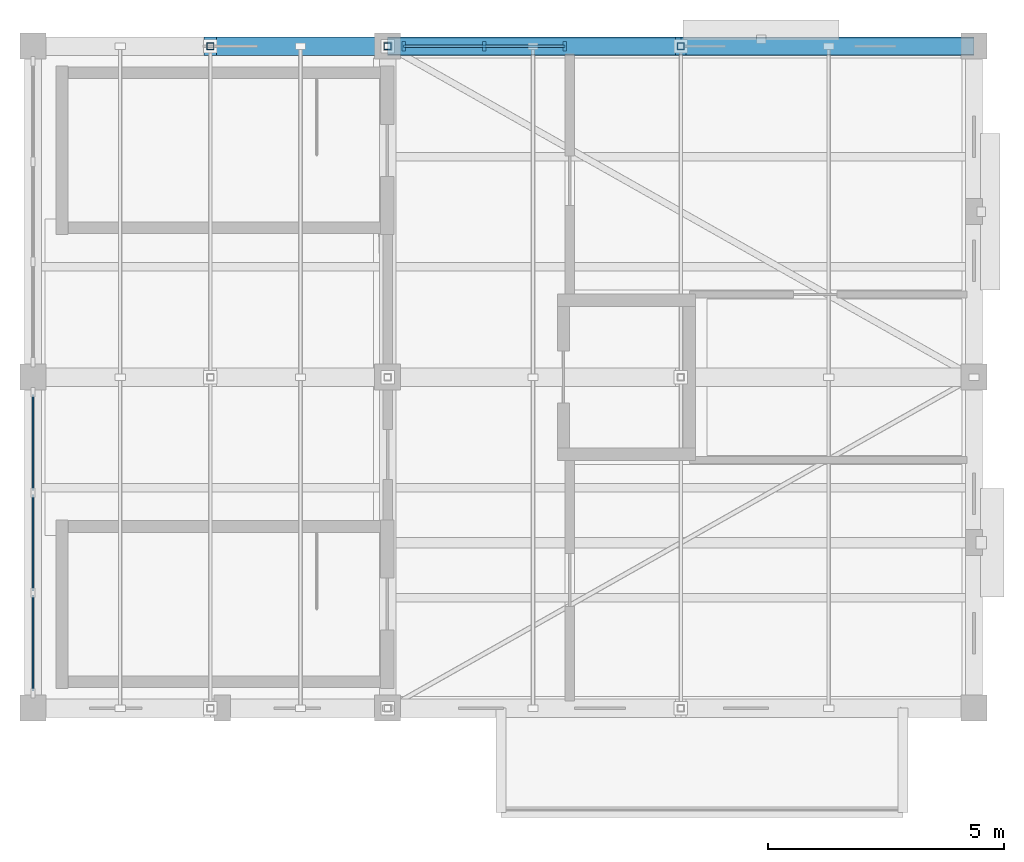
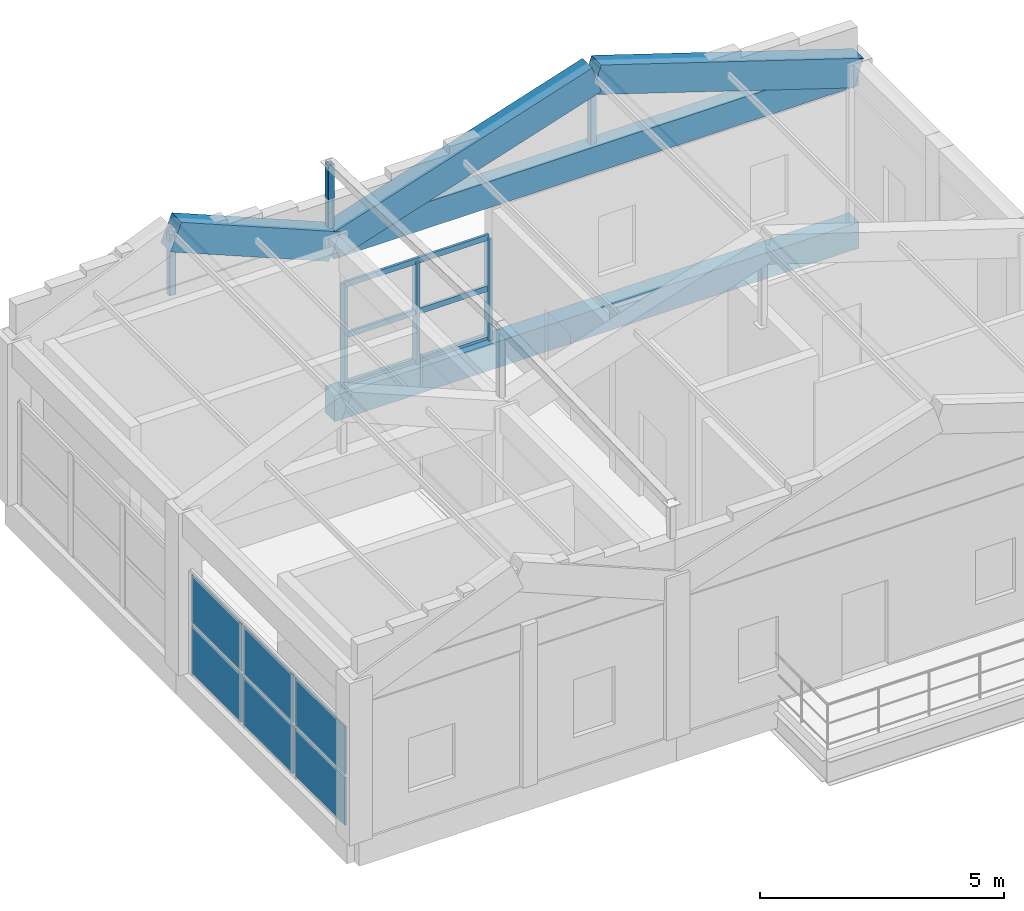
# One storey, part 5 of 8: 12 members, 6 plates, 2 beams, 2 elements without a shape of their own.
"""IFC4 building model written with IfcOpenShell, lengths in metres."""

from ifc_helpers import new_model, si_unit, direction, frame, origin, origin_2d, place, context, subcontext, project, spatial, rectangle, hollow_rectangle, extrude, material, layer, layer_set, material_profile, profile_set, type_object, element, aggregate, save


model = new_model("IFC4")

# Units and contexts
model_context = context("Model", 3, precision=1e-05, world=origin(), true_north=direction((0.0, 1.0)))
body_context = subcontext(model_context, "Body", "Model", "MODEL_VIEW")
ifc_project = project(units=[si_unit("LENGTHUNIT", "METRE"), si_unit("AREAUNIT", "SQUARE_METRE"), si_unit("VOLUMEUNIT", "CUBIC_METRE"), si_unit("PLANEANGLEUNIT", "RADIAN"), si_unit("MASSUNIT", "GRAM", prefix="KILO")], contexts=[model_context])

# Site, building, storey
site_placement = place(None, origin())
site = spatial("IfcSite", under=ifc_project, at=site_placement, CompositionType="ELEMENT")
building_placement = place(site_placement, origin())
building = spatial("IfcBuilding", under=site, at=building_placement, Name="Trellovar Central Fire Station", CompositionType="ELEMENT")
storey_placement = place(building_placement, frame((0.0, 0.0, 22.050048828125)))
storey = spatial("IfcBuildingStorey", under=building, at=storey_placement, Name="L06", CompositionType="ELEMENT", Elevation=22.050048828125)

# Beams
ifc_material_1 = material(Name="Concrete C40/50", Category="concrete")
ifc_material_profile_1 = material_profile(ifc_material_1, rectangle(XDim=0.39990234375, YDim=0.64990234375, at=origin_2d()), Name="RC400X650")
ifc_profile_set_1 = profile_set([ifc_material_profile_1], Name="Concrete C40/50")
beam_type_1 = type_object("IfcBeamType", Name="BM-G4", PredefinedType="BEAM", material=ifc_profile_set_1)
beam_1_placement = place(storey_placement, frame((148.60009765625, 73.0, -0.324951171875), z_axis=(1.0, 0.0, 0.0), x_axis=(0.0, 1.0, 0.0)))
element("IfcBeam", 1, at=beam_1_placement, inside=storey, type_object=beam_type_1, Name="L06 beam G-4", PredefinedType="BEAM", context=body_context, shape_type="SweptSolid", body=[
    extrude(rectangle(XDim=0.39990234375, YDim=0.64990234375, at=origin_2d()), origin(), (0.0, 0.0, 1.0), 12.39990234375),
])
ifc_material_2 = material(Name="Concrete C40/50", Category="concrete")
ifc_material_profile_2 = material_profile(ifc_material_2, rectangle(XDim=0.35009765625, YDim=0.64990234375, at=origin_2d()), Name="RC350X650")
ifc_profile_set_2 = profile_set([ifc_material_profile_2], Name="Concrete C40/50")
beam_type_2 = type_object("IfcBeamType", Name="BM-G5", PredefinedType="BEAM", material=ifc_profile_set_2)
beam_2_placement = place(storey_placement, frame((148.60009765625, 73.0, 3.724853515625), z_axis=(1.0, 0.0, 0.0), x_axis=(0.0, 1.0, 0.0)))
element("IfcBeam", 2, at=beam_2_placement, inside=storey, type_object=beam_type_2, Name="L06 beam G-5", PredefinedType="BEAM", context=body_context, shape_type="SweptSolid", body=[
    extrude(rectangle(XDim=0.35009765625, YDim=0.64990234375, at=origin_2d()), origin(), (0.0, 0.0, 1.0), 12.39990234375),
])

# Curtain wall, members
ifc_material_3 = material(Name="Thermally broken bronze anodized aluminum", Category="aluminium")
ifc_layer_1 = layer(ifc_material_3, 0.159912109375)
ifc_layer_set_1 = layer_set([ifc_layer_1], Name="Thermally broken bronze anodized aluminum")
curtain_wall_type_1 = type_object("IfcCurtainWallType", Name="CW-08", PredefinedType="NOTDEFINED", material=ifc_layer_set_1)
curtain_wall_1_placement = place(storey_placement, origin())
curtain_wall_1 = element("IfcCurtainWall", 3, at=curtain_wall_1_placement, inside=storey, type_object=curtain_wall_type_1, Name="V2 L06 north lobby curtain wall", PredefinedType="NOTDEFINED")
ifc_material_4 = material(Name="Thermally broken bronze anodized aluminum", Category="aluminium")
ifc_material_profile_3 = material_profile(ifc_material_4, rectangle(XDim=0.074951171875, YDim=0.199951171875, at=origin_2d()), Name="ALU75X200")
ifc_profile_set_3 = profile_set([ifc_material_profile_3], Name="Thermally broken bronze anodized aluminum")
member_type_1 = type_object("IfcMemberType", Name="CWM-1", PredefinedType="MULLION", material=ifc_profile_set_3)
member_1_placement = place(storey_placement, frame((152.35009765625, 73.0, 0.0), z_axis=(0.0, 0.0, 1.0), x_axis=(1.0, 0.0, 0.0)))
member_1 = element("IfcMember", 4, at=member_1_placement, type_object=member_type_1, Name="CW3-L06-0168 mullion 1", PredefinedType="MULLION", context=body_context, shape_type="SweptSolid", body=[
    extrude(rectangle(XDim=0.074951171875, YDim=0.199951171875, at=origin_2d()), origin(), (0.0, 0.0, 1.0), 2.550048828125),
])
member_2_placement = place(storey_placement, frame((150.64501953125, 73.0, 0.0), z_axis=(0.0, 0.0, 1.0), x_axis=(1.0, 0.0, 0.0)))
member_2 = element("IfcMember", 5, at=member_2_placement, type_object=member_type_1, Name="CW3-L06-0168 mullion 2", PredefinedType="MULLION", context=body_context, shape_type="SweptSolid", body=[
    extrude(rectangle(XDim=0.074951171875, YDim=0.199951171875, at=origin_2d()), origin(), (0.0, 0.0, 1.0), 2.550048828125),
])
member_3_placement = place(storey_placement, frame((148.93994140625, 73.0, 0.0), z_axis=(0.0, 0.0, 1.0), x_axis=(1.0, 0.0, 0.0)))
member_3 = element("IfcMember", 6, at=member_3_placement, type_object=member_type_1, Name="CW3-L06-0168 mullion 3", PredefinedType="MULLION", context=body_context, shape_type="SweptSolid", body=[
    extrude(rectangle(XDim=0.074951171875, YDim=0.199951171875, at=origin_2d()), origin(), (0.0, 0.0, 1.0), 2.550048828125),
])
ifc_material_5 = material(Name="Thermally broken bronze anodized aluminum", Category="aluminium")
ifc_material_profile_4 = material_profile(ifc_material_5, rectangle(XDim=0.06005859375, YDim=0.139892578125, at=origin_2d()), Name="ALU60X140")
ifc_profile_set_4 = profile_set([ifc_material_profile_4], Name="Thermally broken bronze anodized aluminum")
member_type_2 = type_object("IfcMemberType", Name="CWT-1", PredefinedType="USERDEFINED", material=ifc_profile_set_4)
member_4_placement = place(storey_placement, frame((152.35009765625, 73.0, 0.0), z_axis=(-1.0, 0.0, 0.0), x_axis=(0.0, -1.0, 0.0)))
member_4 = element("IfcMember", 7, at=member_4_placement, type_object=member_type_2, Name="CW3-L06-0168 transom 1", ObjectType="TRANSOM", PredefinedType="USERDEFINED", context=body_context, shape_type="SweptSolid", body=[
    extrude(rectangle(XDim=0.06005859375, YDim=0.139892578125, at=origin_2d()), origin(), (0.0, 0.0, 1.0), 3.41015625),
])
member_5_placement = place(storey_placement, frame((152.35009765625, 73.0, 1.27490234375), z_axis=(-1.0, 0.0, 0.0), x_axis=(0.0, -1.0, 0.0)))
member_5 = element("IfcMember", 8, at=member_5_placement, type_object=member_type_2, Name="CW3-L06-0168 transom 2", ObjectType="TRANSOM", PredefinedType="USERDEFINED", context=body_context, shape_type="SweptSolid", body=[
    extrude(rectangle(XDim=0.06005859375, YDim=0.139892578125, at=origin_2d()), origin(), (0.0, 0.0, 1.0), 3.41015625),
])
member_6_placement = place(storey_placement, frame((152.35009765625, 73.0, 2.550048828125), z_axis=(-1.0, 0.0, 0.0), x_axis=(0.0, -1.0, 0.0)))
member_6 = element("IfcMember", 9, at=member_6_placement, type_object=member_type_2, Name="CW3-L06-0168 transom 3", ObjectType="TRANSOM", PredefinedType="USERDEFINED", context=body_context, shape_type="SweptSolid", body=[
    extrude(rectangle(XDim=0.06005859375, YDim=0.139892578125, at=origin_2d()), origin(), (0.0, 0.0, 1.0), 3.41015625),
])
aggregate(curtain_wall_1, [member_1, member_2, member_3, member_4, member_5, member_6])

# Members
ifc_material_6 = material(Name="Concrete C40/50", Category="concrete")
ifc_material_profile_5 = material_profile(ifc_material_6, rectangle(XDim=0.39990234375, YDim=0.699951171875, at=origin_2d()), Name="RC400X700")
ifc_profile_set_5 = profile_set([ifc_material_profile_5], Name="Concrete C40/50")
member_type_3 = type_object("IfcMemberType", Name="MEM-LR1", PredefinedType="CHORD", material=ifc_profile_set_5)
member_7_placement = place(storey_placement, frame((144.85009765625, 73.0, 5.280029296875), z_axis=(0.924162631586, 0.0, -0.381999254423), x_axis=(0.0, 1.0, 0.0)))
element("IfcMember", 10, at=member_7_placement, inside=storey, type_object=member_type_3, Name="V2W Catalan vault rib 1 chord 2", PredefinedType="CHORD", context=body_context, shape_type="SweptSolid", body=[
    extrude(rectangle(XDim=0.39990234375, YDim=0.699951171875, at=origin_2d()), origin(), (0.0, 0.0, 1.0), 4.0576171875),
])
for number, where, z_axis, x_axis, name in (
    (11, (148.60009765625, 73.0, 3.72998046875), (0.951707911327, 0.0, 0.30700496986), (0.0, 1.0, 0.0), "V2E Catalan vault rib 1 chord 1"),
    (12, (154.800048828125, 73.0, 5.72998046875), (0.951707911327, 0.0, -0.30700496986), (0.0, 1.0, 0.0), "V2E Catalan vault rib 1 chord 2"),
):
    element("IfcMember", number, at=place(storey_placement, frame(where, z_axis=z_axis, x_axis=x_axis)), inside=storey, type_object=member_type_3, Name=name, PredefinedType="CHORD", context=body_context, shape_type="SweptSolid", body=[
        extrude(rectangle(XDim=0.39990234375, YDim=0.699951171875, at=origin_2d()), origin(), (0.0, 0.0, 1.0), 6.5146484375),
    ])
ifc_material_7 = material(Name="Steel ASTM A500 Grade C", Category="steel")
ifc_material_profile_6 = material_profile(ifc_material_7, hollow_rectangle(XDim=0.15234375, YDim=0.15234375, WallThickness=0.0087890625, InnerFilletRadius=0.0087890625, OuterFilletRadius=0.017822265625, at=origin_2d()), Name="HSS6X6X3/8")
ifc_profile_set_6 = profile_set([ifc_material_profile_6], Name="Steel ASTM A500 Grade C")
member_type_4 = type_object("IfcMemberType", Name="MEM-ST1", PredefinedType="STRUT", material=ifc_profile_set_6)
member_8_placement = place(storey_placement, frame((144.85009765625, 73.0, 3.75), z_axis=(0.0, 0.0, 1.0), x_axis=(1.0, 0.0, 0.0)))
element("IfcMember", 13, at=member_8_placement, inside=storey, type_object=member_type_4, Name="V2W Catalan vault apex post 1", PredefinedType="STRUT", context=body_context, shape_type="SweptSolid", body=[
    extrude(hollow_rectangle(XDim=0.15234375, YDim=0.15234375, WallThickness=0.0087890625, InnerFilletRadius=0.0087890625, OuterFilletRadius=0.017822265625, at=origin_2d()), origin(), (0.0, 0.0, 1.0), 1.530029296875),
])
member_9_placement = place(storey_placement, frame((154.800048828125, 73.0, 3.75), z_axis=(0.0, 0.0, 1.0), x_axis=(1.0, 0.0, 0.0)))
element("IfcMember", 14, at=member_9_placement, inside=storey, type_object=member_type_4, Name="V2E Catalan vault apex post 1", PredefinedType="STRUT", context=body_context, shape_type="SweptSolid", body=[
    extrude(hollow_rectangle(XDim=0.15234375, YDim=0.15234375, WallThickness=0.0087890625, InnerFilletRadius=0.0087890625, OuterFilletRadius=0.017822265625, at=origin_2d()), origin(), (0.0, 0.0, 1.0), 1.97998046875),
])
member_10_placement = place(storey_placement, frame((148.60009765625, 73.0, 4.050048828125), z_axis=(0.0, 0.0, 1.0), x_axis=(1.0, 0.0, 0.0)))
element("IfcMember", 15, at=member_10_placement, inside=storey, type_object=member_type_4, Name="V2 crown king post Y=73.0", PredefinedType="STRUT", context=body_context, shape_type="SweptSolid", body=[
    extrude(hollow_rectangle(XDim=0.15234375, YDim=0.15234375, WallThickness=0.0087890625, InnerFilletRadius=0.0087890625, OuterFilletRadius=0.017822265625, at=origin_2d()), origin(), (0.0, 0.0, 1.0), 1.64990234375),
])

# Curtain wall, plates
ifc_material_8 = material(Name="Thermally broken bronze anodized aluminum", Category="aluminium")
ifc_layer_2 = layer(ifc_material_8, 0.159912109375)
ifc_layer_set_2 = layer_set([ifc_layer_2], Name="Thermally broken bronze anodized aluminum")
curtain_wall_type_2 = type_object("IfcCurtainWallType", Name="CW-09", PredefinedType="NOTDEFINED", material=ifc_layer_set_2)
curtain_wall_2_placement = place(storey_placement, origin())
curtain_wall_2 = element("IfcCurtainWall", 16, at=curtain_wall_2_placement, inside=storey, type_object=curtain_wall_type_2, Name="V2 L06 west drill yard curtain wall", PredefinedType="NOTDEFINED")
ifc_material_9 = material(Name="Double low-E solar control insulated glazing", Category="glass")
ifc_layer_3 = layer(ifc_material_9, 0.031982421875)
ifc_layer_set_3 = layer_set([ifc_layer_3], Name="Double low-E solar control insulated glazing")
plate_type_1 = type_object("IfcPlateType", Name="CWP-GL1", PredefinedType="CURTAIN_PANEL", material=ifc_layer_set_3)
plate_1_placement = place(storey_placement, frame((141.10009765625, 64.6201171875, 1.31494140625), z_axis=(0.0, 0.0, 1.0), x_axis=(0.0, 1.0, 0.0)))
plate_1 = element("IfcPlate", 17, at=plate_1_placement, type_object=plate_type_1, Name="CW3-L06-0169 panel 3-2", PredefinedType="CURTAIN_PANEL", context=body_context, shape_type="SweptSolid", body=[
    extrude(rectangle(XDim=2.0400390625, YDim=0.031982421875, at=origin_2d()), origin(), (0.0, 0.0, 1.0), 1.195068359375),
])
ifc_material_10 = material(Name="Double low-E solar control insulated glazing", Category="glass")
ifc_layer_4 = layer(ifc_material_10, 0.033935546875)
ifc_layer_set_4 = layer_set([ifc_layer_4], Name="Double low-E solar control insulated glazing")
plate_type_2 = type_object("IfcPlateType", Name="CWP-GL3", PredefinedType="CURTAIN_PANEL", material=ifc_layer_set_4)
plate_2_placement = place(storey_placement, frame((141.10009765625, 60.3798828125, 1.31494140625), z_axis=(0.0, 0.0, 1.0), x_axis=(0.0, 1.0, 0.0)))
plate_2 = element("IfcPlate", 18, at=plate_2_placement, type_object=plate_type_2, Name="CW3-L06-0169 panel 1-2", PredefinedType="CURTAIN_PANEL", context=body_context, shape_type="SweptSolid", body=[
    extrude(rectangle(XDim=2.0400390625, YDim=0.033935546875, at=origin_2d()), origin(), (0.0, 0.0, 1.0), 1.195068359375),
])
ifc_material_11 = material(Name="Double low-E solar control insulated glazing", Category="glass")
ifc_layer_5 = layer(ifc_material_11, 0.030029296875)
ifc_layer_set_5 = layer_set([ifc_layer_5], Name="Double low-E solar control insulated glazing")
plate_type_3 = type_object("IfcPlateType", Name="CWP-GL4", PredefinedType="CURTAIN_PANEL", material=ifc_layer_set_5)
plate_3_placement = place(storey_placement, frame((141.10009765625, 62.5, 1.31494140625), z_axis=(0.0, 0.0, 1.0), x_axis=(0.0, 1.0, 0.0)))
plate_3 = element("IfcPlate", 19, at=plate_3_placement, type_object=plate_type_3, Name="CW3-L06-0169 panel 2-2", PredefinedType="CURTAIN_PANEL", context=body_context, shape_type="SweptSolid", body=[
    extrude(rectangle(XDim=2.0400390625, YDim=0.030029296875, at=origin_2d()), origin(), (0.0, 0.0, 1.0), 1.195068359375),
])
ifc_material_12 = material(Name="Glazed ceramic trencadis and terracotta panel", Category="masonry")
ifc_layer_6 = layer(ifc_material_12, 0.048095703125)
ifc_layer_set_6 = layer_set([ifc_layer_6], Name="Glazed ceramic trencadis and terracotta panel")
plate_type_4 = type_object("IfcPlateType", Name="CWP-SP1", PredefinedType="CURTAIN_PANEL", material=ifc_layer_set_6)
plate_4_placement = place(storey_placement, frame((141.10009765625, 62.5, 0.0400390625), z_axis=(0.0, 0.0, 1.0), x_axis=(0.0, 1.0, 0.0)))
plate_4 = element("IfcPlate", 20, at=plate_4_placement, type_object=plate_type_4, Name="CW3-L06-0169 panel 2-1", PredefinedType="CURTAIN_PANEL", context=body_context, shape_type="SweptSolid", body=[
    extrude(rectangle(XDim=2.0400390625, YDim=0.048095703125, at=origin_2d()), origin(), (0.0, 0.0, 1.0), 1.195068359375),
])
ifc_material_13 = material(Name="Glazed ceramic trencadis and terracotta panel", Category="masonry")
ifc_layer_7 = layer(ifc_material_13, 0.044921875)
ifc_layer_set_7 = layer_set([ifc_layer_7], Name="Glazed ceramic trencadis and terracotta panel")
plate_type_5 = type_object("IfcPlateType", Name="CWP-SP2", PredefinedType="CURTAIN_PANEL", material=ifc_layer_set_7)
plate_5_placement = place(storey_placement, frame((141.10009765625, 60.3798828125, 0.0400390625), z_axis=(0.0, 0.0, 1.0), x_axis=(0.0, 1.0, 0.0)))
plate_5 = element("IfcPlate", 21, at=plate_5_placement, type_object=plate_type_5, Name="CW3-L06-0169 panel 1-1", PredefinedType="CURTAIN_PANEL", context=body_context, shape_type="SweptSolid", body=[
    extrude(rectangle(XDim=2.0400390625, YDim=0.044921875, at=origin_2d()), origin(), (0.0, 0.0, 1.0), 1.195068359375),
])
plate_6_placement = place(storey_placement, frame((141.10009765625, 64.6201171875, 0.0400390625), z_axis=(0.0, 0.0, 1.0), x_axis=(0.0, 1.0, 0.0)))
plate_6 = element("IfcPlate", 22, at=plate_6_placement, type_object=plate_type_5, Name="CW3-L06-0169 panel 3-1", PredefinedType="CURTAIN_PANEL", context=body_context, shape_type="SweptSolid", body=[
    extrude(rectangle(XDim=2.0400390625, YDim=0.044921875, at=origin_2d()), origin(), (0.0, 0.0, 1.0), 1.195068359375),
])
aggregate(curtain_wall_2, [plate_5, plate_2, plate_4, plate_3, plate_6, plate_1])

save(model, "model.ifc")
